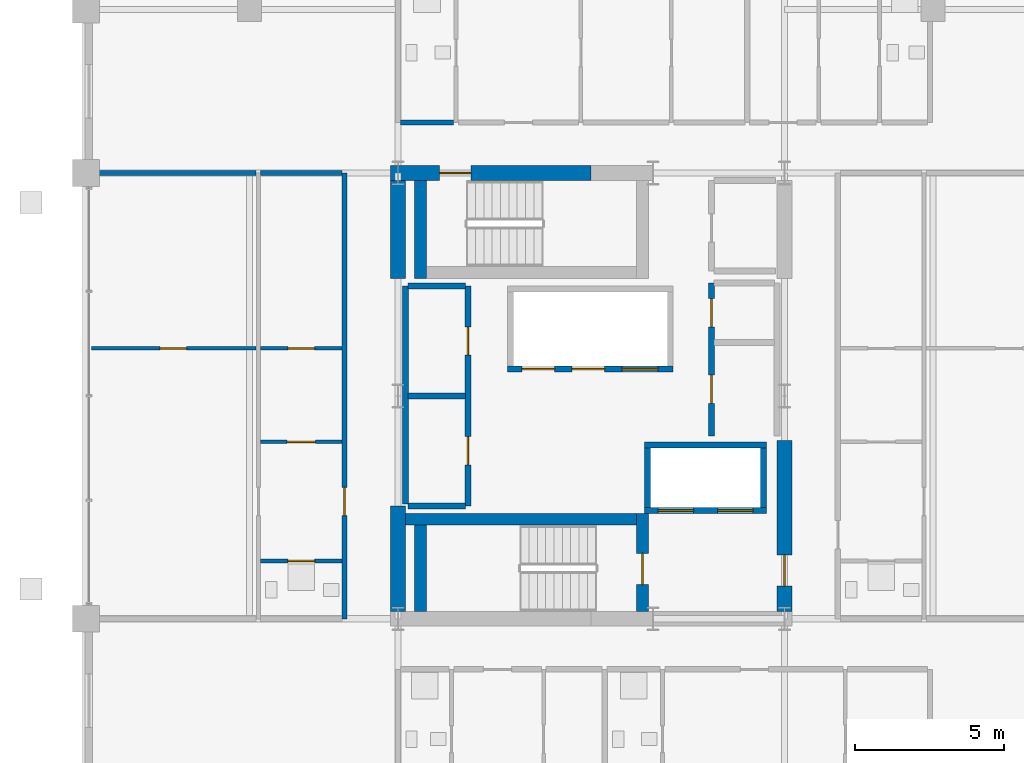
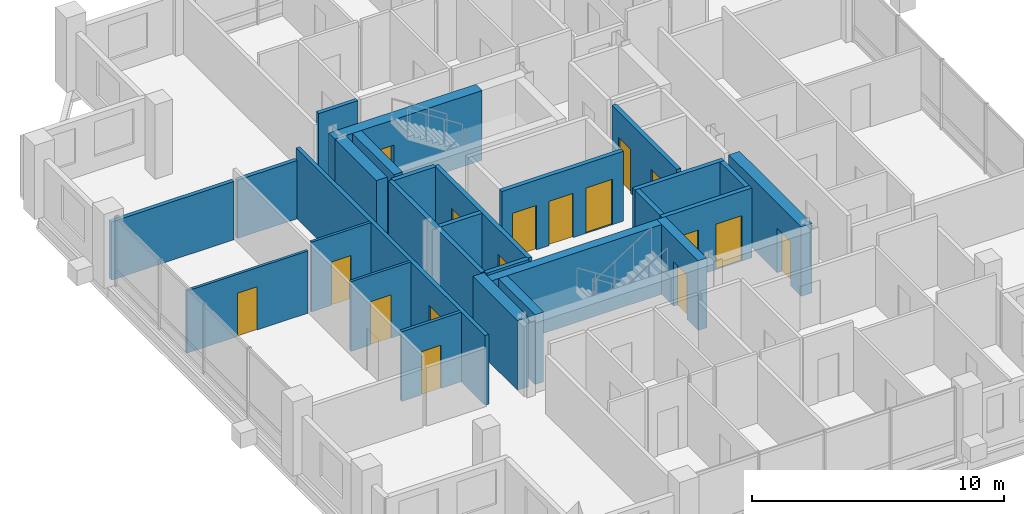
# One storey, part 17 of 22: 27 walls, 17 doors, 17 openings.
"""IFC4 building model written with IfcOpenShell, lengths in metres."""

import ifcopenshell
import ifcopenshell.guid

model = None  # the IFC model being written
_history = None  # IfcOwnerHistory: only IFC2X3 demands one
_inside = {}  # id of a spatial element -> (the spatial element, [elements in it])
_under = {}  # id of a project, library or spatial element -> (it, [spatial elements below it])
_declared = {}  # id of a project -> (the project, [libraries it declares])
_typed = {}  # id of a type object -> (the type object, [elements of that type])
_made_of = {}  # id of a material, layer set ... -> (it, [elements and type objects made of it])


def new_model(schema):
    """Start an empty IFC model of exactly this schema.

    Asked for "IFC4X3", IfcOpenShell would pick the latest addendum, in which some entities
    have other attributes; the version numbers below select the first issue.
    IFC2X3 requires an IfcOwnerHistory on every rooted entity: one is made here for all.
    """
    global model, _history
    if schema == "IFC4X3":
        model = ifcopenshell.file(schema_version=(4, 3, 0, 0))
    else:
        model = ifcopenshell.file(schema=schema)
    _inside.clear()
    _under.clear()
    _declared.clear()
    _typed.clear()
    _made_of.clear()
    _history = None
    if model.schema == "IFC2X3":
        org = make("IfcOrganization", Name="unknown")
        user = make(
            "IfcPersonAndOrganization",
            ThePerson=make("IfcPerson", FamilyName="unknown"),
            TheOrganization=org,
        )
        app = make(
            "IfcApplication",
            ApplicationDeveloper=org,
            Version="unknown",
            ApplicationFullName="unknown",
            ApplicationIdentifier="unknown",
        )
        _history = make(
            "IfcOwnerHistory",
            OwningUser=user,
            OwningApplication=app,
            ChangeAction="ADDED",
            CreationDate=0,
        )
    return model


def make(cls, **values):
    """One entity of the class cls with the attributes given. An attribute that is None is left unset."""
    return model.create_entity(
        cls, **{name: value for name, value in values.items() if value is not None}
    )


def rooted(cls, **values):
    """An entity with a GlobalId (a new one), such as an element, a storey or a relation."""
    return make(cls, GlobalId=ifcopenshell.guid.new(), OwnerHistory=_history, **values)


def si_unit(unit_type, name, prefix=None):
    """IfcSIUnit, for example si_unit("LENGTHUNIT", "METRE", prefix="MILLI")."""
    return make("IfcSIUnit", UnitType=unit_type, Prefix=prefix, Name=name)


def assignment(units):
    """IfcUnitAssignment: the units of a project."""
    return None if units is None else make("IfcUnitAssignment", Units=units)


def point(xyz):
    """IfcCartesianPoint."""
    return None if xyz is None else make("IfcCartesianPoint", Coordinates=xyz)


def direction(xyz):
    """IfcDirection."""
    return None if xyz is None else make("IfcDirection", DirectionRatios=xyz)


def frame(location, z_axis=None, x_axis=None):
    """IfcAxis2Placement3D, a coordinate frame: its origin and axes. An axis left out is left unset."""
    return make(
        "IfcAxis2Placement3D",
        Location=point(location),
        Axis=direction(z_axis),
        RefDirection=direction(x_axis),
    )


def frame_2d(location, x_axis=None):
    """IfcAxis2Placement2D, a coordinate frame in the plane: its origin and x axis."""
    return make(
        "IfcAxis2Placement2D", Location=point(location), RefDirection=direction(x_axis)
    )


def origin():
    """The frame at (0, 0, 0) with its axes left unset."""
    return frame((0.0, 0.0, 0.0))


def place(relative_to, where):
    """IfcLocalPlacement: puts the frame where relative to a parent placement (None: the world)."""
    return make(
        "IfcLocalPlacement", PlacementRelTo=relative_to, RelativePlacement=where
    )


def context(
    kind, dimensions, precision=None, world=None, true_north=None, identifier=None
):
    """IfcGeometricRepresentationContext, for example the 3D "Model" context."""
    return make(
        "IfcGeometricRepresentationContext",
        ContextIdentifier=identifier,
        ContextType=kind,
        CoordinateSpaceDimension=dimensions,
        Precision=precision,
        WorldCoordinateSystem=world,
        TrueNorth=true_north,
    )


def subcontext(parent, identifier, kind, view, scale=None):
    """IfcGeometricRepresentationSubContext, for example "Body" below "Model"."""
    return make(
        "IfcGeometricRepresentationSubContext",
        ContextIdentifier=identifier,
        ContextType=kind,
        ParentContext=parent,
        TargetScale=scale,
        TargetView=view,
    )


def project(units=None, contexts=None):
    """IfcProject with its units and contexts."""
    return rooted(
        "IfcProject",
        Name="project",
        RepresentationContexts=contexts,
        UnitsInContext=assignment(units),
    )


def spatial(cls, under=None, at=None, **own):
    """A site, building, storey or space (cls), placed at a placement, below another one or the project."""
    s = rooted(cls, ObjectPlacement=at, **own)
    if under is not None:
        _under.setdefault(under.id(), (under, []))[1].append(s)
    return s


def profile(cls, at=None, kind="AREA", **sizes):
    """A parametric profile (cls). Its sizes go by their IFC names, for example OverallWidth=200.0."""
    return make(cls, ProfileType=kind, Position=at, **sizes)


def rectangle(**sizes):
    """IfcRectangleProfileDef."""
    return profile("IfcRectangleProfileDef", **sizes)


def extrude(swept, where, along, depth):
    """IfcExtrudedAreaSolid: the profile swept, set in the frame where, extruded along a direction by depth."""
    return make(
        "IfcExtrudedAreaSolid",
        SweptArea=swept,
        Position=where,
        ExtrudedDirection=direction(along),
        Depth=depth,
    )


def shape(context_of_items, identifier, shape_type, items):
    """IfcShapeRepresentation: the items that make up one representation, for example the "Body"."""
    return make(
        "IfcShapeRepresentation",
        ContextOfItems=context_of_items,
        RepresentationIdentifier=identifier,
        RepresentationType=shape_type,
        Items=items,
    )


def material(Name=None, Category=None):
    """IfcMaterial."""
    return make("IfcMaterial", Name=Name, Category=Category)


def layer(
    of_material, thickness, ventilated=None, Name=None, Category=None, Priority=None
):
    """IfcMaterialLayer: one layer of a wall or slab, of a material (None: an air gap)."""
    return make(
        "IfcMaterialLayer",
        Material=of_material,
        LayerThickness=thickness,
        IsVentilated=ventilated,
        Name=Name,
        Category=Category,
        Priority=Priority,
    )


def layer_set(layers, Name=None):
    """IfcMaterialLayerSet."""
    return make("IfcMaterialLayerSet", MaterialLayers=layers, LayerSetName=Name)


def made_of(thing, what):
    """Note that an element or type object is made of a material, layer set ...; save() writes the relation."""
    if what is not None:
        _made_of.setdefault(what.id(), (what, []))[1].append(thing)
    return thing


def type_object(cls, material=None, **own):
    """A type object (cls), such as IfcWallType, which elements share."""
    return made_of(rooted(cls, **own), material)


def element(
    cls,
    number,
    at=None,
    inside=None,
    cuts=None,
    type_object=None,
    material=None,
    context=None,
    identifier="Body",
    shape_type=None,
    held_by="IfcProductDefinitionShape",
    body=None,
    shapes=None,
    **own,
):
    """One element of the class cls, such as IfcWall. Its Tag is "e" and its number.

    at: its placement. inside: the storey or other place that contains it. cuts: it is an
    opening in that element (IfcRelVoidsElement). A single representation is given by context,
    identifier, shape_type and body (its items); several are given by shapes. held_by: the class
    of the entity that holds the representations. save() writes the other relations.
    """
    e = rooted(cls, Tag="e%d" % number, ObjectPlacement=at, **own)
    if body is not None:
        shapes = [shape(context, identifier, shape_type, body)]
    if shapes is not None:
        e.Representation = make(held_by, Representations=shapes)
    if inside is not None:
        _inside.setdefault(inside.id(), (inside, []))[1].append(e)
    if cuts is not None:
        rooted(
            "IfcRelVoidsElement", RelatingBuildingElement=cuts, RelatedOpeningElement=e
        )
    if type_object is not None:
        _typed.setdefault(type_object.id(), (type_object, []))[1].append(e)
    return made_of(e, material)


def fill(opening, filler):
    """IfcRelFillsElement: the door or window that sits in an opening."""
    return rooted(
        "IfcRelFillsElement",
        RelatingOpeningElement=opening,
        RelatedBuildingElement=filler,
    )


def aggregate(whole, parts):
    """IfcRelAggregates: a whole, such as a stair, and the parts it consists of."""
    return rooted("IfcRelAggregates", RelatingObject=whole, RelatedObjects=parts)


def save(model, path):
    """Write the relations noted so far, then the file.

    IfcRelAggregates (storeys below a building ...), IfcRelContainedInSpatialStructure (elements
    in a storey), IfcRelDefinesByType, IfcRelAssociatesMaterial and IfcRelDeclares: one each for
    every whole, place, type object, material and project.
    """
    for whole, parts in _under.values():
        aggregate(whole, parts)
    for where, things in _inside.values():
        rooted(
            "IfcRelContainedInSpatialStructure",
            RelatedElements=things,
            RelatingStructure=where,
        )
    for kind, things in _typed.values():
        rooted("IfcRelDefinesByType", RelatedObjects=things, RelatingType=kind)
    for what, things in _made_of.values():
        rooted("IfcRelAssociatesMaterial", RelatedObjects=things, RelatingMaterial=what)
    for by, libraries in _declared.values():
        rooted("IfcRelDeclares", RelatingContext=by, RelatedDefinitions=libraries)
    model.write(path)


model = new_model("IFC4")

# Units and contexts
model_context = context("Model", 3, precision=1e-05, world=origin(), true_north=direction((0.0, 1.0)))
body_context = subcontext(model_context, "Body", "Model", "MODEL_VIEW")
ifc_project = project(units=[si_unit("LENGTHUNIT", "METRE"), si_unit("AREAUNIT", "SQUARE_METRE"), si_unit("VOLUMEUNIT", "CUBIC_METRE"), si_unit("PLANEANGLEUNIT", "RADIAN"), si_unit("MASSUNIT", "GRAM", prefix="KILO")], contexts=[model_context])

# Site, building, storey
site_placement = place(None, origin())
site = spatial("IfcSite", under=ifc_project, at=site_placement, CompositionType="ELEMENT")
building_placement = place(site_placement, origin())
building = spatial("IfcBuilding", under=site, at=building_placement, Name="Barlavira Tower and Art Museum", CompositionType="ELEMENT")
storey_placement = place(building_placement, frame((0.0, 0.0, 243.89990234375)))
storey = spatial("IfcBuildingStorey", under=building, at=storey_placement, Name="L63", CompositionType="ELEMENT", Elevation=243.89990234375)

# Wall, opening, door
ifc_material_1 = material(Name="Gypsum acoustic stud partition", Category="gypsum")
ifc_layer_1 = layer(ifc_material_1, 0.1201171875, Name="Gypsum acoustic stud partition")
ifc_layer_set_1 = layer_set([ifc_layer_1], Name="Gypsum acoustic stud partition")
wall_type_1 = type_object("IfcWallType", Name="Apartment Internal Acoustic Partition 120", PredefinedType="PARTITIONING", material=ifc_layer_set_1)
wall_1_placement = place(storey_placement, frame((-11.1201171875, -1.550048828125, 0.0), z_axis=(0.0, 0.0, 1.0), x_axis=(1.0, 0.0, 0.0)))
wall_1 = element("IfcWall", 1, at=wall_1_placement, inside=storey, type_object=wall_type_1, Name="L63 Partition Wall 51", PredefinedType="PARTITIONING", context=body_context, shape_type="SweptSolid", body=[
    extrude(rectangle(XDim=2.740234375, YDim=0.1201171875, at=frame_2d((1.3701171875, 0.0))), origin(), (0.0, 0.0, 1.0), 3.380126953125),
])
opening_1_placement = place(wall_1_placement, frame((0.885009765625, 0.0, 0.0)))
opening_1 = element("IfcOpeningElement", 2, at=opening_1_placement, cuts=wall_1, Name="Opening D-02", PredefinedType="OPENING", context=body_context, shape_type="SweptSolid", body=[
    extrude(rectangle(XDim=0.949951171875, YDim=2.10009765625, at=frame_2d((0.47509765625, 1.050048828125))), frame((0.0, 0.070068359375, 0.0), z_axis=(0.0, -1.0, 0.0), x_axis=(1.0, 0.0, 0.0)), (0.0, 0.0, 1.0), 0.14013671875),
])
ifc_material_2 = material(Name="Engineered coastal hardwood", Category="wood")
door_type_1 = type_object("IfcDoorType", Name="Living and Salon Glazed-Leaf Door 950x2100", OperationType="NOTDEFINED", PredefinedType="DOOR", material=ifc_material_2)
door_1_placement = place(opening_1_placement, origin())
door_1 = element("IfcDoor", 3, at=door_1_placement, inside=storey, type_object=door_type_1, Name="Apartment W1 Kitchen Door", OperationType="SINGLE_SWING_RIGHT", OverallHeight=2.10009765625, OverallWidth=0.949951171875, PredefinedType="DOOR", context=body_context, shape_type="SweptSolid", body=[
    extrude(rectangle(XDim=0.949951171875, YDim=2.10009765625, at=frame_2d((0.47509765625, 1.050048828125))), frame((0.0, 0.02490234375, 0.0), z_axis=(0.0, -1.0, 0.0), x_axis=(1.0, 0.0, 0.0)), (0.0, 0.0, 1.0), 0.050048828125),
])
fill(opening_1, door_1)

wall_2_placement = place(storey_placement, frame((-16.820068359375, 1.60009765625, 0.0), z_axis=(0.0, 0.0, 1.0), x_axis=(1.0, 0.0, 0.0)))
wall_2 = element("IfcWall", 4, at=wall_2_placement, inside=storey, type_object=wall_type_1, Name="L63 Partition Wall 54", PredefinedType="PARTITIONING", context=body_context, shape_type="SweptSolid", body=[
    extrude(rectangle(XDim=5.5400390625, YDim=0.1201171875, at=frame_2d((2.77001953125, 0.0))), origin(), (0.0, 0.0, 1.0), 3.01806640625),
])
opening_2_placement = place(wall_2_placement, frame((2.31005859375, 0.0, 0.0)))
opening_2 = element("IfcOpeningElement", 5, at=opening_2_placement, cuts=wall_2, Name="Opening D-01", PredefinedType="OPENING", context=body_context, shape_type="SweptSolid", body=[
    extrude(rectangle(XDim=0.89990234375, YDim=2.10009765625, at=frame_2d((0.449951171875, 1.050048828125))), frame((0.0, 0.070068359375, 0.0), z_axis=(0.0, -1.0, 0.0), x_axis=(1.0, 0.0, 0.0)), (0.0, 0.0, 1.0), 0.14013671875),
])
door_type_2 = type_object("IfcDoorType", Name="Internal Bedroom Timber Flush Door 900x2100", OperationType="NOTDEFINED", PredefinedType="DOOR", material=ifc_material_2)
door_2_placement = place(opening_2_placement, origin())
door_2 = element("IfcDoor", 6, at=door_2_placement, inside=storey, type_object=door_type_2, Name="Apartment W1 Bedroom 1 Door", OperationType="SINGLE_SWING_LEFT", OverallHeight=2.10009765625, OverallWidth=0.89990234375, PredefinedType="DOOR", context=body_context, shape_type="SweptSolid", body=[
    extrude(rectangle(XDim=0.89990234375, YDim=2.10009765625, at=frame_2d((0.449951171875, 1.050048828125))), frame((0.0, 0.02490234375, 0.0), z_axis=(0.0, -1.0, 0.0), x_axis=(1.0, 0.0, 0.0)), (0.0, 0.0, 1.0), 0.050048828125),
])
fill(opening_2, door_2)

wall_3_placement = place(storey_placement, frame((-11.1201171875, 1.60009765625, 0.0), z_axis=(0.0, 0.0, 1.0), x_axis=(1.0, 0.0, 0.0)))
wall_3 = element("IfcWall", 7, at=wall_3_placement, inside=storey, type_object=wall_type_1, Name="L63 Partition Wall 55", PredefinedType="PARTITIONING", context=body_context, shape_type="SweptSolid", body=[
    extrude(rectangle(XDim=2.740234375, YDim=0.1201171875, at=frame_2d((1.3701171875, 0.0))), origin(), (0.0, 0.0, 1.0), 3.380126953125),
])
opening_3_placement = place(wall_3_placement, frame((0.909912109375, 0.0, 0.0)))
opening_3 = element("IfcOpeningElement", 8, at=opening_3_placement, cuts=wall_3, Name="Opening D-01", PredefinedType="OPENING", context=body_context, shape_type="SweptSolid", body=[
    extrude(rectangle(XDim=0.89990234375, YDim=2.10009765625, at=frame_2d((0.449951171875, 1.050048828125))), frame((0.0, 0.070068359375, 0.0), z_axis=(0.0, -1.0, 0.0), x_axis=(1.0, 0.0, 0.0)), (0.0, 0.0, 1.0), 0.14013671875),
])
door_3_placement = place(opening_3_placement, origin())
door_3 = element("IfcDoor", 9, at=door_3_placement, inside=storey, type_object=door_type_2, Name="Apartment W1 Walk-In Dressing Room Door", OperationType="SINGLE_SWING_LEFT", OverallHeight=2.10009765625, OverallWidth=0.89990234375, PredefinedType="DOOR", context=body_context, shape_type="SweptSolid", body=[
    extrude(rectangle(XDim=0.89990234375, YDim=2.10009765625, at=frame_2d((0.449951171875, 1.050048828125))), frame((0.0, 0.02490234375, 0.0), z_axis=(0.0, -1.0, 0.0), x_axis=(1.0, 0.0, 0.0)), (0.0, 0.0, 1.0), 0.050048828125),
])
fill(opening_3, door_3)

ifc_material_3 = material(Name="Concrete C60", Category="concrete")
ifc_layer_2 = layer(ifc_material_3, 0.5, Name="Concrete C60")
ifc_layer_set_2 = layer_set([ifc_layer_2], Name="Concrete C60")
wall_type_2 = type_object("IfcWallType", Name="Core Structural Shear Wall 500 Concrete C60", PredefinedType="SHEAR", material=ifc_layer_set_2)
wall_4_placement = place(storey_placement, frame((-6.75, 7.5, 0.0), z_axis=(0.0, 0.0, 1.0), x_axis=(1.0, 0.0, 0.0)))
wall_4 = element("IfcWall", 10, at=wall_4_placement, inside=storey, type_object=wall_type_2, Name="L63 Core Shear Wall CS-NW", PredefinedType="SHEAR", context=body_context, shape_type="SweptSolid", body=[
    extrude(rectangle(XDim=6.75, YDim=0.5, at=frame_2d((3.375, 0.0))), origin(), (0.0, 0.0, 1.0), 3.380126953125),
])
opening_4_placement = place(wall_4_placement, frame((1.64990234375, 0.0, 0.0)))
opening_4 = element("IfcOpeningElement", 11, at=opening_4_placement, cuts=wall_4, Name="Opening FD-90", PredefinedType="OPENING", context=body_context, shape_type="SweptSolid", body=[
    extrude(rectangle(XDim=1.050048828125, YDim=2.14990234375, at=frame_2d((0.52490234375, 1.074951171875))), frame((0.0, 0.260009765625, 0.0), z_axis=(0.0, -1.0, 0.0), x_axis=(1.0, 0.0, 0.0)), (0.0, 0.0, 1.0), 0.52001953125),
])
ifc_material_4 = material(Name="Brushed stainless steel", Category="steel")
door_type_3 = type_object("IfcDoorType", Name="Stair and Refuge Fire Door 1050x2150 FD90S", OperationType="NOTDEFINED", PredefinedType="DOOR", material=ifc_material_4)
door_4_placement = place(opening_4_placement, origin())
door_4 = element("IfcDoor", 12, at=door_4_placement, inside=storey, type_object=door_type_3, Name="L63 Stair ST-T2 Fire Door", OperationType="SINGLE_SWING_LEFT", OverallHeight=2.14990234375, OverallWidth=1.050048828125, PredefinedType="DOOR", context=body_context, shape_type="SweptSolid", body=[
    extrude(rectangle(XDim=1.050048828125, YDim=2.14990234375, at=frame_2d((0.52490234375, 1.074951171875))), frame((0.0, 0.02490234375, 0.0), z_axis=(0.0, -1.0, 0.0), x_axis=(1.0, 0.0, 0.0)), (0.0, 0.0, 1.0), 0.050048828125),
])
fill(opening_4, door_4)

# Walls
wall_5_placement = place(storey_placement, frame((-6.5, -7.25, 0.0), z_axis=(0.0, 0.0, 1.0), x_axis=(0.0, 1.0, 0.0)))
element("IfcWall", 13, at=wall_5_placement, inside=storey, type_object=wall_type_2, Name="L63 Core Shear Wall CS-W1", PredefinedType="SHEAR", context=body_context, shape_type="SweptSolid", body=[
    extrude(rectangle(XDim=3.550048828125, YDim=0.5, at=frame_2d((1.77490234375, 0.0))), origin(), (0.0, 0.0, 1.0), 3.380126953125),
])
wall_6_placement = place(storey_placement, frame((-6.5, 3.949951171875, 0.0), z_axis=(0.0, 0.0, 1.0), x_axis=(0.0, 1.0, 0.0)))
element("IfcWall", 14, at=wall_6_placement, inside=storey, type_object=wall_type_2, Name="L63 Core Shear Wall CS-W2", PredefinedType="SHEAR", context=body_context, shape_type="SweptSolid", body=[
    extrude(rectangle(XDim=3.300048828125, YDim=0.5, at=frame_2d((1.64990234375, 0.0))), origin(), (0.0, 0.0, 1.0), 3.380126953125),
])

# Wall, opening, door
wall_7_placement = place(storey_placement, frame((6.5, -7.25, 0.0), z_axis=(0.0, 0.0, 1.0), x_axis=(0.0, 1.0, 0.0)))
wall_7 = element("IfcWall", 15, at=wall_7_placement, inside=storey, type_object=wall_type_2, Name="L63 Core Shear Wall CS-E1", PredefinedType="SHEAR", context=body_context, shape_type="SweptSolid", body=[
    extrude(rectangle(XDim=5.75, YDim=0.5, at=frame_2d((2.875, 0.0))), origin(), (0.0, 0.0, 1.0), 3.380126953125),
])
opening_5_placement = place(wall_7_placement, frame((0.85009765625, 0.0, 0.0)))
opening_5 = element("IfcOpeningElement", 16, at=opening_5_placement, cuts=wall_7, Name="Opening FD-90", PredefinedType="OPENING", context=body_context, shape_type="SweptSolid", body=[
    extrude(rectangle(XDim=1.050048828125, YDim=2.14990234375, at=frame_2d((0.52490234375, 1.074951171875))), frame((0.0, 0.260009765625, 0.0), z_axis=(0.0, -1.0, 0.0), x_axis=(1.0, 0.0, 0.0)), (0.0, 0.0, 1.0), 0.52001953125),
])
door_5_placement = place(opening_5_placement, origin())
door_5 = element("IfcDoor", 17, at=door_5_placement, inside=storey, type_object=door_type_3, Name="L63 Firefighting Lobby Entry Fire Door", OperationType="SINGLE_SWING_LEFT", OverallHeight=2.14990234375, OverallWidth=1.050048828125, PredefinedType="DOOR", context=body_context, shape_type="SweptSolid", body=[
    extrude(rectangle(XDim=1.050048828125, YDim=2.14990234375, at=frame_2d((0.52490234375, 1.074951171875))), frame((0.0, 0.02490234375, 0.0), z_axis=(0.0, -1.0, 0.0), x_axis=(1.0, 0.0, 0.0)), (0.0, 0.0, 1.0), 0.050048828125),
])
fill(opening_5, door_5)

# Wall, openings, doors
ifc_material_5 = material(Name="Autoclaved aerated concrete masonry", Category="masonry")
ifc_layer_3 = layer(ifc_material_5, 0.199951171875, Name="Autoclaved aerated concrete masonry")
ifc_layer_set_3 = layer_set([ifc_layer_3], Name="Autoclaved aerated concrete masonry")
wall_type_3 = type_object("IfcWallType", Name="Fire Compartment and Shaft Wall 200", PredefinedType="SOLIDWALL", material=ifc_layer_set_3)
wall_8_placement = place(storey_placement, frame((-2.820068359375, 0.89990234375, 0.0), z_axis=(0.0, 0.0, 1.0), x_axis=(1.0, 0.0, 0.0)))
wall_8 = element("IfcWall", 18, at=wall_8_placement, inside=storey, type_object=wall_type_3, Name="L63 High-Rise & Service Lift Front Wall", PredefinedType="SOLIDWALL", context=body_context, shape_type="SweptSolid", body=[
    extrude(rectangle(XDim=5.580078125, YDim=0.199951171875, at=frame_2d((2.7900390625, 0.0))), origin(), (0.0, 0.0, 1.0), 3.380126953125),
])
opening_6_placement = place(wall_8_placement, frame((0.489990234375, 0.0, 0.0)))
opening_6 = element("IfcOpeningElement", 19, at=opening_6_placement, cuts=wall_8, Name="Opening LD-P", PredefinedType="OPENING", context=body_context, shape_type="SweptSolid", body=[
    extrude(rectangle(XDim=1.10009765625, YDim=2.14990234375, at=frame_2d((0.550048828125, 1.074951171875))), frame((0.0, 0.10986328125, 0.0), z_axis=(0.0, -1.0, 0.0), x_axis=(1.0, 0.0, 0.0)), (0.0, 0.0, 1.0), 0.219970703125),
])
opening_7_placement = place(wall_8_placement, frame((2.169921875, 0.0, 0.0)))
opening_7 = element("IfcOpeningElement", 20, at=opening_7_placement, cuts=wall_8, Name="Opening LD-P", PredefinedType="OPENING", context=body_context, shape_type="SweptSolid", body=[
    extrude(rectangle(XDim=1.10009765625, YDim=2.14990234375, at=frame_2d((0.550048828125, 1.074951171875))), frame((0.0, 0.10986328125, 0.0), z_axis=(0.0, -1.0, 0.0), x_axis=(1.0, 0.0, 0.0)), (0.0, 0.0, 1.0), 0.219970703125),
])
opening_8_placement = place(wall_8_placement, frame((3.860107421875, 0.0, 0.0)))
opening_8 = element("IfcOpeningElement", 21, at=opening_8_placement, cuts=wall_8, Name="Opening LD-F", PredefinedType="OPENING", context=body_context, shape_type="SweptSolid", body=[
    extrude(rectangle(XDim=1.199951171875, YDim=2.199951171875, at=frame_2d((0.60009765625, 1.10009765625))), frame((0.0, 0.10986328125, 0.0), z_axis=(0.0, -1.0, 0.0), x_axis=(1.0, 0.0, 0.0)), (0.0, 0.0, 1.0), 0.219970703125),
])
door_type_4 = type_object("IfcDoorType", Name="Firefighting and Service Lift Sliding Door 1200x2200 FD120", OperationType="NOTDEFINED", PredefinedType="DOOR", material=ifc_material_4)
door_6_placement = place(opening_8_placement, origin())
door_6 = element("IfcDoor", 22, at=door_6_placement, inside=storey, type_object=door_type_4, Name="L63 Stretcher Service Lift SL1 Sliding Door", OperationType="DOUBLE_DOOR_SLIDING", OverallHeight=2.199951171875, OverallWidth=1.199951171875, PredefinedType="DOOR", context=body_context, shape_type="SweptSolid", body=[
    extrude(rectangle(XDim=1.199951171875, YDim=2.199951171875, at=frame_2d((0.60009765625, 1.10009765625))), frame((0.0, 0.02490234375, 0.0), z_axis=(0.0, -1.0, 0.0), x_axis=(1.0, 0.0, 0.0)), (0.0, 0.0, 1.0), 0.050048828125),
])
fill(opening_8, door_6)
door_type_5 = type_object("IfcDoorType", Name="Passenger Lift Sliding Landing Door 1100x2150 FD60", OperationType="NOTDEFINED", PredefinedType="DOOR", material=ifc_material_4)
door_7_placement = place(opening_6_placement, origin())
door_7 = element("IfcDoor", 23, at=door_7_placement, inside=storey, type_object=door_type_5, Name="L63 Lift PH1 Sliding Landing Door", OperationType="DOUBLE_DOOR_SLIDING", OverallHeight=2.14990234375, OverallWidth=1.10009765625, PredefinedType="DOOR", context=body_context, shape_type="SweptSolid", body=[
    extrude(rectangle(XDim=1.10009765625, YDim=2.14990234375, at=frame_2d((0.550048828125, 1.074951171875))), frame((0.0, 0.02490234375, 0.0), z_axis=(0.0, -1.0, 0.0), x_axis=(1.0, 0.0, 0.0)), (0.0, 0.0, 1.0), 0.050048828125),
])
fill(opening_6, door_7)
door_8_placement = place(opening_7_placement, origin())
door_8 = element("IfcDoor", 24, at=door_8_placement, inside=storey, type_object=door_type_5, Name="L63 Lift PH2 Sliding Landing Door", OperationType="DOUBLE_DOOR_SLIDING", OverallHeight=2.14990234375, OverallWidth=1.10009765625, PredefinedType="DOOR", context=body_context, shape_type="SweptSolid", body=[
    extrude(rectangle(XDim=1.10009765625, YDim=2.14990234375, at=frame_2d((0.550048828125, 1.074951171875))), frame((0.0, 0.02490234375, 0.0), z_axis=(0.0, -1.0, 0.0), x_axis=(1.0, 0.0, 0.0)), (0.0, 0.0, 1.0), 0.050048828125),
])
fill(opening_7, door_8)

wall_9_placement = place(storey_placement, frame((1.800048828125, -3.85009765625, 0.0), z_axis=(0.0, 0.0, 1.0), x_axis=(1.0, 0.0, 0.0)))
wall_9 = element("IfcWall", 25, at=wall_9_placement, inside=storey, type_object=wall_type_3, Name="L63 Firefighting Lift Front Shaft Wall", PredefinedType="SOLIDWALL", context=body_context, shape_type="SweptSolid", body=[
    extrude(rectangle(XDim=4.099853515625, YDim=0.199951171875, at=frame_2d((2.0498046875, 0.0))), origin(), (0.0, 0.0, 1.0), 3.380126953125),
])
opening_9_placement = place(wall_9_placement, frame((0.449951171875, 0.0, 0.0)))
opening_9 = element("IfcOpeningElement", 26, at=opening_9_placement, cuts=wall_9, Name="Opening LD-F", PredefinedType="OPENING", context=body_context, shape_type="SweptSolid", body=[
    extrude(rectangle(XDim=1.199951171875, YDim=2.199951171875, at=frame_2d((0.60009765625, 1.10009765625))), frame((0.0, 0.10986328125, 0.0), z_axis=(0.0, -1.0, 0.0), x_axis=(1.0, 0.0, 0.0)), (0.0, 0.0, 1.0), 0.219970703125),
])
opening_10_placement = place(wall_9_placement, frame((2.449951171875, 0.0, 0.0)))
opening_10 = element("IfcOpeningElement", 27, at=opening_10_placement, cuts=wall_9, Name="Opening LD-F", PredefinedType="OPENING", context=body_context, shape_type="SweptSolid", body=[
    extrude(rectangle(XDim=1.199951171875, YDim=2.199951171875, at=frame_2d((0.60009765625, 1.10009765625))), frame((0.0, 0.10986328125, 0.0), z_axis=(0.0, -1.0, 0.0), x_axis=(1.0, 0.0, 0.0)), (0.0, 0.0, 1.0), 0.219970703125),
])
door_9_placement = place(opening_9_placement, origin())
door_9 = element("IfcDoor", 28, at=door_9_placement, inside=storey, type_object=door_type_4, Name="L63 Firefighting Lift FF1 Sliding Door", OperationType="DOUBLE_DOOR_SLIDING", OverallHeight=2.199951171875, OverallWidth=1.199951171875, PredefinedType="DOOR", context=body_context, shape_type="SweptSolid", body=[
    extrude(rectangle(XDim=1.199951171875, YDim=2.199951171875, at=frame_2d((0.60009765625, 1.10009765625))), frame((0.0, 0.02490234375, 0.0), z_axis=(0.0, -1.0, 0.0), x_axis=(1.0, 0.0, 0.0)), (0.0, 0.0, 1.0), 0.050048828125),
])
fill(opening_9, door_9)
door_10_placement = place(opening_10_placement, origin())
door_10 = element("IfcDoor", 29, at=door_10_placement, inside=storey, type_object=door_type_4, Name="L63 Firefighting Lift FF2 Sliding Door", OperationType="DOUBLE_DOOR_SLIDING", OverallHeight=2.199951171875, OverallWidth=1.199951171875, PredefinedType="DOOR", context=body_context, shape_type="SweptSolid", body=[
    extrude(rectangle(XDim=1.199951171875, YDim=2.199951171875, at=frame_2d((0.60009765625, 1.10009765625))), frame((0.0, 0.02490234375, 0.0), z_axis=(0.0, -1.0, 0.0), x_axis=(1.0, 0.0, 0.0)), (0.0, 0.0, 1.0), 0.050048828125),
])
fill(opening_10, door_10)

# Walls
wall_10_placement = place(storey_placement, frame((1.800048828125, -1.64990234375, 0.0), z_axis=(0.0, 0.0, 1.0), x_axis=(1.0, 0.0, 0.0)))
element("IfcWall", 30, at=wall_10_placement, inside=storey, type_object=wall_type_3, Name="L63 Firefighting Lift Back Shaft Wall", PredefinedType="SOLIDWALL", context=body_context, shape_type="SweptSolid", body=[
    extrude(rectangle(XDim=4.099853515625, YDim=0.199951171875, at=frame_2d((2.0498046875, 0.0))), origin(), (0.0, 0.0, 1.0), 3.380126953125),
])
for number, where, z_axis, x_axis, name in (
    (31, (1.89990234375, -3.75, 0.0), (0.0, 0.0, 1.0), (0.0, 1.0, 0.0), "L63 Firefighting Lift West Shaft Wall"),
    (32, (5.800048828125, -3.75, 0.0), (0.0, 0.0, 1.0), (0.0, 1.0, 0.0), "L63 Firefighting Lift East Shaft Wall"),
):
    element("IfcWall", number, at=place(storey_placement, frame(where, z_axis=z_axis, x_axis=x_axis)), inside=storey, type_object=wall_type_3, Name=name, PredefinedType="SOLIDWALL", context=body_context, shape_type="SweptSolid", body=[
        extrude(rectangle(XDim=2.0, YDim=0.199951171875, at=frame_2d((1.0, 0.0))), origin(), (0.0, 0.0, 1.0), 3.380126953125),
    ])
wall_11_placement = place(storey_placement, frame((-6.25, -3.639892578125, 0.0), z_axis=(0.0, 0.0, 1.0), x_axis=(0.0, 1.0, 0.0)))
element("IfcWall", 33, at=wall_11_placement, inside=storey, type_object=wall_type_3, Name="L63 Partition Wall 5", PredefinedType="SOLIDWALL", context=body_context, shape_type="SweptSolid", body=[
    extrude(rectangle(XDim=7.33984375, YDim=0.199951171875, at=frame_2d((3.669921875, 0.0))), origin(), (0.0, 0.0, 1.0), 3.380126953125),
])

# Wall, openings, doors
wall_12_placement = place(storey_placement, frame((-4.14990234375, -3.699951171875, 0.0), z_axis=(0.0, 0.0, 1.0), x_axis=(0.0, 1.0, 0.0)))
wall_12 = element("IfcWall", 34, at=wall_12_placement, inside=storey, type_object=wall_type_3, Name="L63 Partition Wall 8", PredefinedType="SOLIDWALL", context=body_context, shape_type="SweptSolid", body=[
    extrude(rectangle(XDim=7.39990234375, YDim=0.199951171875, at=frame_2d((3.699951171875, 0.0))), origin(), (0.0, 0.0, 1.0), 3.380126953125),
])
opening_11_placement = place(wall_12_placement, frame((1.375, 0.0, 0.0)))
opening_11 = element("IfcOpeningElement", 35, at=opening_11_placement, cuts=wall_12, Name="Opening FD-60", PredefinedType="OPENING", context=body_context, shape_type="SweptSolid", body=[
    extrude(rectangle(XDim=0.949951171875, YDim=2.14990234375, at=frame_2d((0.47509765625, 1.074951171875))), frame((0.0, 0.10986328125, 0.0), z_axis=(0.0, -1.0, 0.0), x_axis=(1.0, 0.0, 0.0)), (0.0, 0.0, 1.0), 0.219970703125),
])
opening_12_placement = place(wall_12_placement, frame((5.074951171875, 0.0, 0.0)))
opening_12 = element("IfcOpeningElement", 36, at=opening_12_placement, cuts=wall_12, Name="Opening FD-60", PredefinedType="OPENING", context=body_context, shape_type="SweptSolid", body=[
    extrude(rectangle(XDim=0.949951171875, YDim=2.14990234375, at=frame_2d((0.47509765625, 1.074951171875))), frame((0.0, 0.10986328125, 0.0), z_axis=(0.0, -1.0, 0.0), x_axis=(1.0, 0.0, 0.0)), (0.0, 0.0, 1.0), 0.219970703125),
])
door_type_6 = type_object("IfcDoorType", Name="Apartment Entrance and Riser Fire Door 950x2150 FD60S", OperationType="NOTDEFINED", PredefinedType="DOOR", material=ifc_material_4)
door_11_placement = place(opening_11_placement, origin())
door_11 = element("IfcDoor", 37, at=door_11_placement, inside=storey, type_object=door_type_6, Name="Reclaimed Core Linen and Amenity Store Door", OperationType="SINGLE_SWING_RIGHT", OverallHeight=2.14990234375, OverallWidth=0.949951171875, PredefinedType="DOOR", context=body_context, shape_type="SweptSolid", body=[
    extrude(rectangle(XDim=0.949951171875, YDim=2.14990234375, at=frame_2d((0.47509765625, 1.074951171875))), frame((0.0, 0.02490234375, 0.0), z_axis=(0.0, -1.0, 0.0), x_axis=(1.0, 0.0, 0.0)), (0.0, 0.0, 1.0), 0.050048828125),
])
fill(opening_11, door_11)
door_12_placement = place(opening_12_placement, origin())
door_12 = element("IfcDoor", 38, at=door_12_placement, inside=storey, type_object=door_type_6, Name="Reclaimed Core Telecom and BMS Room Door", OperationType="SINGLE_SWING_LEFT", OverallHeight=2.14990234375, OverallWidth=0.949951171875, PredefinedType="DOOR", context=body_context, shape_type="SweptSolid", body=[
    extrude(rectangle(XDim=0.949951171875, YDim=2.14990234375, at=frame_2d((0.47509765625, 1.074951171875))), frame((0.0, 0.02490234375, 0.0), z_axis=(0.0, -1.0, 0.0), x_axis=(1.0, 0.0, 0.0)), (0.0, 0.0, 1.0), 0.050048828125),
])
fill(opening_12, door_12)

wall_13_placement = place(storey_placement, frame((4.050048828125, -1.35009765625, 0.0), z_axis=(0.0, 0.0, 1.0), x_axis=(0.0, 1.0, 0.0)))
wall_13 = element("IfcWall", 39, at=wall_13_placement, inside=storey, type_object=wall_type_3, Name="L63 Partition Wall 17", PredefinedType="SOLIDWALL", context=body_context, shape_type="SweptSolid", body=[
    extrude(rectangle(XDim=5.150146484375, YDim=0.199951171875, at=frame_2d((2.5751953125, 0.0))), origin(), (0.0, 0.0, 1.0), 3.380126953125),
])
opening_13_placement = place(wall_13_placement, frame((1.094970703125, 0.0, 0.0)))
opening_13 = element("IfcOpeningElement", 40, at=opening_13_placement, cuts=wall_13, Name="Opening FD-60", PredefinedType="OPENING", context=body_context, shape_type="SweptSolid", body=[
    extrude(rectangle(XDim=0.949951171875, YDim=2.14990234375, at=frame_2d((0.47509765625, 1.074951171875))), frame((0.0, 0.10986328125, 0.0), z_axis=(0.0, -1.0, 0.0), x_axis=(1.0, 0.0, 0.0)), (0.0, 0.0, 1.0), 0.219970703125),
])
opening_14_placement = place(wall_13_placement, frame((3.675048828125, 0.0, 0.0)))
opening_14 = element("IfcOpeningElement", 41, at=opening_14_placement, cuts=wall_13, Name="Opening FD-60", PredefinedType="OPENING", context=body_context, shape_type="SweptSolid", body=[
    extrude(rectangle(XDim=0.949951171875, YDim=2.14990234375, at=frame_2d((0.47509765625, 1.074951171875))), frame((0.0, 0.10986328125, 0.0), z_axis=(0.0, -1.0, 0.0), x_axis=(1.0, 0.0, 0.0)), (0.0, 0.0, 1.0), 0.219970703125),
])
door_13_placement = place(opening_13_placement, origin())
door_13 = element("IfcDoor", 42, at=door_13_placement, inside=storey, type_object=door_type_6, Name="Reclaimed Upper Core IT Hub Door", OperationType="SINGLE_SWING_RIGHT", OverallHeight=2.14990234375, OverallWidth=0.949951171875, PredefinedType="DOOR", context=body_context, shape_type="SweptSolid", body=[
    extrude(rectangle(XDim=0.949951171875, YDim=2.14990234375, at=frame_2d((0.47509765625, 1.074951171875))), frame((0.0, 0.02490234375, 0.0), z_axis=(0.0, -1.0, 0.0), x_axis=(1.0, 0.0, 0.0)), (0.0, 0.0, 1.0), 0.050048828125),
])
fill(opening_13, door_13)
door_14_placement = place(opening_14_placement, origin())
door_14 = element("IfcDoor", 43, at=door_14_placement, inside=storey, type_object=door_type_6, Name="Reclaimed Upper Core Archive Closet Door", OperationType="SINGLE_SWING_LEFT", OverallHeight=2.14990234375, OverallWidth=0.949951171875, PredefinedType="DOOR", context=body_context, shape_type="SweptSolid", body=[
    extrude(rectangle(XDim=0.949951171875, YDim=2.14990234375, at=frame_2d((0.47509765625, 1.074951171875))), frame((0.0, 0.02490234375, 0.0), z_axis=(0.0, -1.0, 0.0), x_axis=(1.0, 0.0, 0.0)), (0.0, 0.0, 1.0), 0.050048828125),
])
fill(opening_14, door_14)

# Walls
for number, where, z_axis, x_axis, name in (
    (44, (-6.169921875, -3.699951171875, 0.0), (0.0, 0.0, 1.0), (1.0, 0.0, 0.0), "L63 Partition Wall 50"),
    (45, (-6.169921875, 0.0, 0.0), (0.0, 0.0, 1.0), (1.0, 0.0, 0.0), "L63 Partition Wall 53"),
    (46, (-6.169921875, 3.699951171875, 0.0), (0.0, 0.0, 1.0), (1.0, 0.0, 0.0), "L63 Partition Wall 59"),
):
    element("IfcWall", number, at=place(storey_placement, frame(where, z_axis=z_axis, x_axis=x_axis)), inside=storey, type_object=wall_type_3, Name=name, PredefinedType="SOLIDWALL", context=body_context, shape_type="SweptSolid", body=[
        extrude(rectangle(XDim=1.93994140625, YDim=0.199951171875, at=frame_2d((0.969970703125, 0.0))), origin(), (0.0, 0.0, 1.0), 3.380126953125),
    ])

# Wall, opening, door
ifc_layer_4 = layer(ifc_material_1, 0.179931640625, Name="Gypsum acoustic stud partition")
ifc_layer_set_4 = layer_set([ifc_layer_4], Name="Gypsum acoustic stud partition")
wall_type_4 = type_object("IfcWallType", Name="Inter-Tenancy Party Partition Wall 180", PredefinedType="PARTITIONING", material=ifc_layer_set_4)
wall_14_placement = place(storey_placement, frame((-8.300048828125, -7.5, 0.0), z_axis=(0.0, 0.0, 1.0), x_axis=(0.0, 1.0, 0.0)))
wall_14 = element("IfcWall", 47, at=wall_14_placement, inside=storey, type_object=wall_type_4, Name="L63 Partition Wall 2", PredefinedType="PARTITIONING", context=body_context, shape_type="SweptSolid", body=[
    extrude(rectangle(XDim=15.0, YDim=0.179931640625, at=frame_2d((7.5, 0.0))), origin(), (0.0, 0.0, 1.0), 3.380126953125),
])
opening_15_placement = place(wall_14_placement, frame((3.47509765625, 0.0, 0.0)))
opening_15 = element("IfcOpeningElement", 48, at=opening_15_placement, cuts=wall_14, Name="Opening FD-60", PredefinedType="OPENING", context=body_context, shape_type="SweptSolid", body=[
    extrude(rectangle(XDim=0.949951171875, YDim=2.14990234375, at=frame_2d((0.47509765625, 1.074951171875))), frame((0.0, 0.10009765625, 0.0), z_axis=(0.0, -1.0, 0.0), x_axis=(1.0, 0.0, 0.0)), (0.0, 0.0, 1.0), 0.199951171875),
])
door_15_placement = place(opening_15_placement, origin())
door_15 = element("IfcDoor", 49, at=door_15_placement, inside=storey, type_object=door_type_6, Name="Apartment Entrance Hall W1 Door", OperationType="SINGLE_SWING_LEFT", OverallHeight=2.14990234375, OverallWidth=0.949951171875, PredefinedType="DOOR", context=body_context, shape_type="SweptSolid", body=[
    extrude(rectangle(XDim=0.949951171875, YDim=2.14990234375, at=frame_2d((0.47509765625, 1.074951171875))), frame((0.0, 0.02490234375, 0.0), z_axis=(0.0, -1.0, 0.0), x_axis=(1.0, 0.0, 0.0)), (0.0, 0.0, 1.0), 0.050048828125),
])
fill(opening_15, door_15)

# Walls
wall_15_placement = place(storey_placement, frame((-16.89990234375, 7.5, 0.0), z_axis=(0.0, 0.0, 1.0), x_axis=(1.0, 0.0, 0.0)))
element("IfcWall", 50, at=wall_15_placement, inside=storey, type_object=wall_type_4, Name="L63 Partition Wall 63", PredefinedType="PARTITIONING", context=body_context, shape_type="SweptSolid", body=[
    extrude(rectangle(XDim=5.619873046875, YDim=0.179931640625, at=frame_2d((2.81005859375, 0.0))), origin(), (0.0, 0.0, 1.0), 2.826171875),
])
wall_16_placement = place(storey_placement, frame((-11.1201171875, 7.5, 0.0), z_axis=(0.0, 0.0, 1.0), x_axis=(1.0, 0.0, 0.0)))
element("IfcWall", 51, at=wall_16_placement, inside=storey, type_object=wall_type_4, Name="L63 Partition Wall 64", PredefinedType="PARTITIONING", context=body_context, shape_type="SweptSolid", body=[
    extrude(rectangle(XDim=2.740234375, YDim=0.179931640625, at=frame_2d((1.3701171875, 0.0))), origin(), (0.0, 0.0, 1.0), 2.826171875),
])
wall_17_placement = place(storey_placement, frame((-6.419921875, 9.199951171875, 0.0), z_axis=(0.0, 0.0, 1.0), x_axis=(1.0, 0.0, 0.0)))
element("IfcWall", 52, at=wall_17_placement, inside=storey, type_object=wall_type_4, Name="L63 Partition Wall 67", PredefinedType="PARTITIONING", context=body_context, shape_type="SweptSolid", body=[
    extrude(rectangle(XDim=1.7900390625, YDim=0.179931640625, at=frame_2d((0.89501953125, 0.0))), origin(), (0.0, 0.0, 1.0), 3.380126953125),
])

# Wall, opening, door
ifc_layer_5 = layer(ifc_material_1, 0.139892578125, Name="Gypsum acoustic stud partition")
ifc_layer_set_5 = layer_set([ifc_layer_5], Name="Gypsum acoustic stud partition")
wall_type_5 = type_object("IfcWallType", Name="Moisture-Resistant Bathroom Partition 140", PredefinedType="PARTITIONING", material=ifc_layer_set_5)
wall_18_placement = place(storey_placement, frame((-11.1201171875, -5.550048828125, 0.0), z_axis=(0.0, 0.0, 1.0), x_axis=(1.0, 0.0, 0.0)))
wall_18 = element("IfcWall", 53, at=wall_18_placement, inside=storey, type_object=wall_type_5, Name="L63 Partition Wall 48", PredefinedType="PARTITIONING", context=body_context, shape_type="SweptSolid", body=[
    extrude(rectangle(XDim=2.740234375, YDim=0.139892578125, at=frame_2d((1.3701171875, 0.0))), origin(), (0.0, 0.0, 1.0), 3.380126953125),
])
opening_16_placement = place(wall_18_placement, frame((0.909912109375, 0.0, 0.0)))
opening_16 = element("IfcOpeningElement", 54, at=opening_16_placement, cuts=wall_18, Name="Opening D-WC", PredefinedType="OPENING", context=body_context, shape_type="SweptSolid", body=[
    extrude(rectangle(XDim=0.89990234375, YDim=2.10009765625, at=frame_2d((0.449951171875, 1.050048828125))), frame((0.0, 0.080078125, 0.0), z_axis=(0.0, -1.0, 0.0), x_axis=(1.0, 0.0, 0.0)), (0.0, 0.0, 1.0), 0.159912109375),
])
door_type_7 = type_object("IfcDoorType", Name="Accessible Bathroom Flush Door 900x2100", OperationType="NOTDEFINED", PredefinedType="DOOR", material=ifc_material_2)
door_16_placement = place(opening_16_placement, origin())
door_16 = element("IfcDoor", 55, at=door_16_placement, inside=storey, type_object=door_type_7, Name="Apartment W1 Hall Bathroom Door", OperationType="SINGLE_SWING_RIGHT", OverallHeight=2.10009765625, OverallWidth=0.89990234375, PredefinedType="DOOR", context=body_context, shape_type="SweptSolid", body=[
    extrude(rectangle(XDim=0.89990234375, YDim=2.10009765625, at=frame_2d((0.449951171875, 1.050048828125))), frame((0.0, 0.02490234375, 0.0), z_axis=(0.0, -1.0, 0.0), x_axis=(1.0, 0.0, 0.0)), (0.0, 0.0, 1.0), 0.050048828125),
])
fill(opening_16, door_16)

# Walls
ifc_material_6 = material(Name="Concrete C55", Category="concrete")
ifc_layer_6 = layer(ifc_material_6, 0.39990234375, Name="Concrete C55")
ifc_layer_set_6 = layer_set([ifc_layer_6], Name="Concrete C55")
wall_type_6 = type_object("IfcWallType", Name="Upper Core Shear Wall 400 Concrete C55", PredefinedType="SHEAR", material=ifc_layer_set_6)
wall_19_placement = place(storey_placement, frame((-5.75, -7.25, 0.0), z_axis=(0.0, 0.0, 1.0), x_axis=(0.0, 1.0, 0.0)))
element("IfcWall", 56, at=wall_19_placement, inside=storey, type_object=wall_type_6, Name="L63 ST-T1 West Half-Landing Wall", PredefinedType="SHEAR", context=body_context, shape_type="SweptSolid", body=[
    extrude(rectangle(XDim=2.89990234375, YDim=0.39990234375, at=frame_2d((1.449951171875, 0.0))), origin(), (0.0, 0.0, 1.0), 3.380126953125),
])
wall_20_placement = place(storey_placement, frame((-6.25, -4.14990234375, 0.0), z_axis=(0.0, 0.0, 1.0), x_axis=(1.0, 0.0, 0.0)))
element("IfcWall", 57, at=wall_20_placement, inside=storey, type_object=wall_type_6, Name="L63 ST-T1 North Shaft Wall", PredefinedType="SHEAR", context=body_context, shape_type="SweptSolid", body=[
    extrude(rectangle(XDim=7.780029296875, YDim=0.39990234375, at=frame_2d((3.89013671875, 0.0))), origin(), (0.0, 0.0, 1.0), 3.380126953125),
])

# Wall, opening, door
wall_21_placement = place(storey_placement, frame((1.72998046875, -7.25, 0.0), z_axis=(0.0, 0.0, 1.0), x_axis=(0.0, 1.0, 0.0)))
wall_21 = element("IfcWall", 58, at=wall_21_placement, inside=storey, type_object=wall_type_6, Name="L63 ST-T1 East Landing Wall", PredefinedType="SHEAR", context=body_context, shape_type="SweptSolid", body=[
    extrude(rectangle(XDim=3.300048828125, YDim=0.39990234375, at=frame_2d((1.64990234375, 0.0))), origin(), (0.0, 0.0, 1.0), 3.380126953125),
])
opening_17_placement = place(wall_21_placement, frame((0.89990234375, 0.0, 0.0)))
opening_17 = element("IfcOpeningElement", 59, at=opening_17_placement, cuts=wall_21, Name="Opening FD-90", PredefinedType="OPENING", context=body_context, shape_type="SweptSolid", body=[
    extrude(rectangle(XDim=1.050048828125, YDim=2.14990234375, at=frame_2d((0.52490234375, 1.074951171875))), frame((0.0, 0.2099609375, 0.0), z_axis=(0.0, -1.0, 0.0), x_axis=(1.0, 0.0, 0.0)), (0.0, 0.0, 1.0), 0.419921875),
])
door_17_placement = place(opening_17_placement, origin())
door_17 = element("IfcDoor", 60, at=door_17_placement, inside=storey, type_object=door_type_3, Name="L63 Stair ST-T1 Fire Door", OperationType="SINGLE_SWING_RIGHT", OverallHeight=2.14990234375, OverallWidth=1.050048828125, PredefinedType="DOOR", context=body_context, shape_type="SweptSolid", body=[
    extrude(rectangle(XDim=1.050048828125, YDim=2.14990234375, at=frame_2d((0.52490234375, 1.074951171875))), frame((0.0, 0.02490234375, 0.0), z_axis=(0.0, -1.0, 0.0), x_axis=(1.0, 0.0, 0.0)), (0.0, 0.0, 1.0), 0.050048828125),
])
fill(opening_17, door_17)

# Wall
wall_22_placement = place(storey_placement, frame((-5.75, 3.949951171875, 0.0), z_axis=(0.0, 0.0, 1.0), x_axis=(0.0, 1.0, 0.0)))
element("IfcWall", 61, at=wall_22_placement, inside=storey, type_object=wall_type_6, Name="L63 ST-T2 West Shaft Wall", PredefinedType="SHEAR", context=body_context, shape_type="SweptSolid", body=[
    extrude(rectangle(XDim=3.300048828125, YDim=0.39990234375, at=frame_2d((1.64990234375, 0.0))), origin(), (0.0, 0.0, 1.0), 3.380126953125),
])

save(model, "model.ifc")
